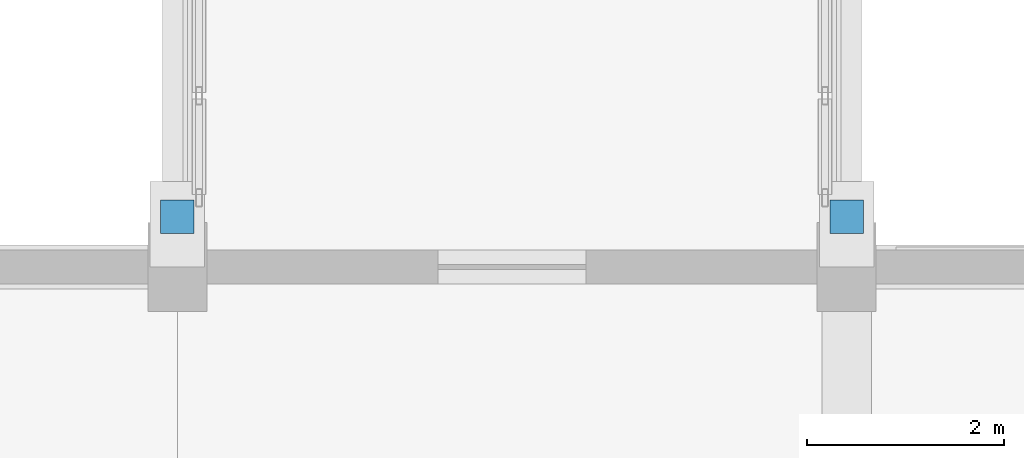
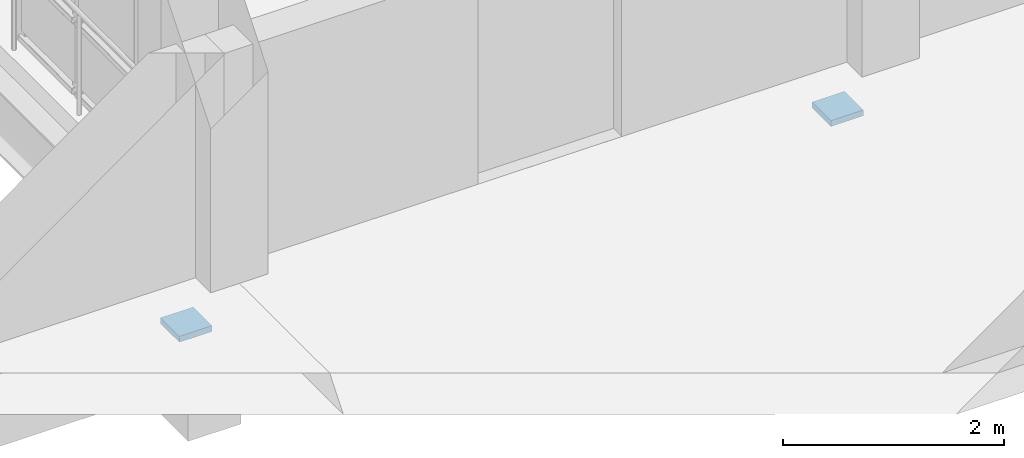
# One storey, part 94 of 106: 2 discrete accessories.
"""IFC4 building model written with IfcOpenShell, lengths in metres."""

from ifc_helpers import new_model, si_unit, direction, frame, origin, origin_2d, place, context, subcontext, project, spatial, rectangle, extrude, material, layer, layer_set, type_object, element, save


model = new_model("IFC4")

# Units and contexts
model_context = context("Model", 3, precision=1e-05, world=origin(), true_north=direction((0.0, 1.0)))
body_context = subcontext(model_context, "Body", "Model", "MODEL_VIEW")
ifc_project = project(units=[si_unit("LENGTHUNIT", "METRE"), si_unit("AREAUNIT", "SQUARE_METRE"), si_unit("VOLUMEUNIT", "CUBIC_METRE"), si_unit("PLANEANGLEUNIT", "RADIAN"), si_unit("MASSUNIT", "GRAM", prefix="KILO")], contexts=[model_context])

# Site, building, storey
site_placement = place(None, origin())
site = spatial("IfcSite", under=ifc_project, at=site_placement, CompositionType="ELEMENT")
building_placement = place(site_placement, origin())
building = spatial("IfcBuilding", under=site, at=building_placement, Name="Kisaragi Civic Commons", CompositionType="ELEMENT")
storey_placement = place(building_placement, frame((0.0, 0.0, 4.800048828125)))
storey = spatial("IfcBuildingStorey", under=building, at=storey_placement, Name="L01", CompositionType="ELEMENT", Elevation=4.800048828125)

# Discrete accessories
ifc_material = material(Name="Steel SN490 (SN490B)", Category="steel")
ifc_layer = layer(ifc_material, 0.06494140625, Name="Steel SN490 (SN490B)", Category="steel")
ifc_layer_set = layer_set([ifc_layer], Name="Steel SN490 (SN490B)")
discrete_accessory_type = type_object("IfcDiscreteAccessoryType", Name="SB-01", PredefinedType="USERDEFINED", material=ifc_layer_set)
for number, where, z_axis, x_axis, name in (
    (1, (13.60009765625, 62.909912109375, -1.070068359375), (0.0, 0.0, 1.0), (1.0, 0.0, 0.0), "PTFE sliding bearing SB-01 9"),
    (2, (20.39990234375, 62.909912109375, -1.070068359375), (0.0, 0.0, 1.0), (1.0, 0.0, 0.0), "PTFE sliding bearing SB-01 10"),
):
    element("IfcDiscreteAccessory", number, at=place(storey_placement, frame(where, z_axis=z_axis, x_axis=x_axis)), inside=storey, type_object=discrete_accessory_type, Name=name, ObjectType="SLIDING BEARING", PredefinedType="USERDEFINED", context=body_context, shape_type="SweptSolid", body=[
        extrude(rectangle(XDim=0.340087890625, YDim=0.340087890625, at=origin_2d()), origin(), (0.0, 0.0, 1.0), 0.06494140625),
    ])

save(model, "model.ifc")
